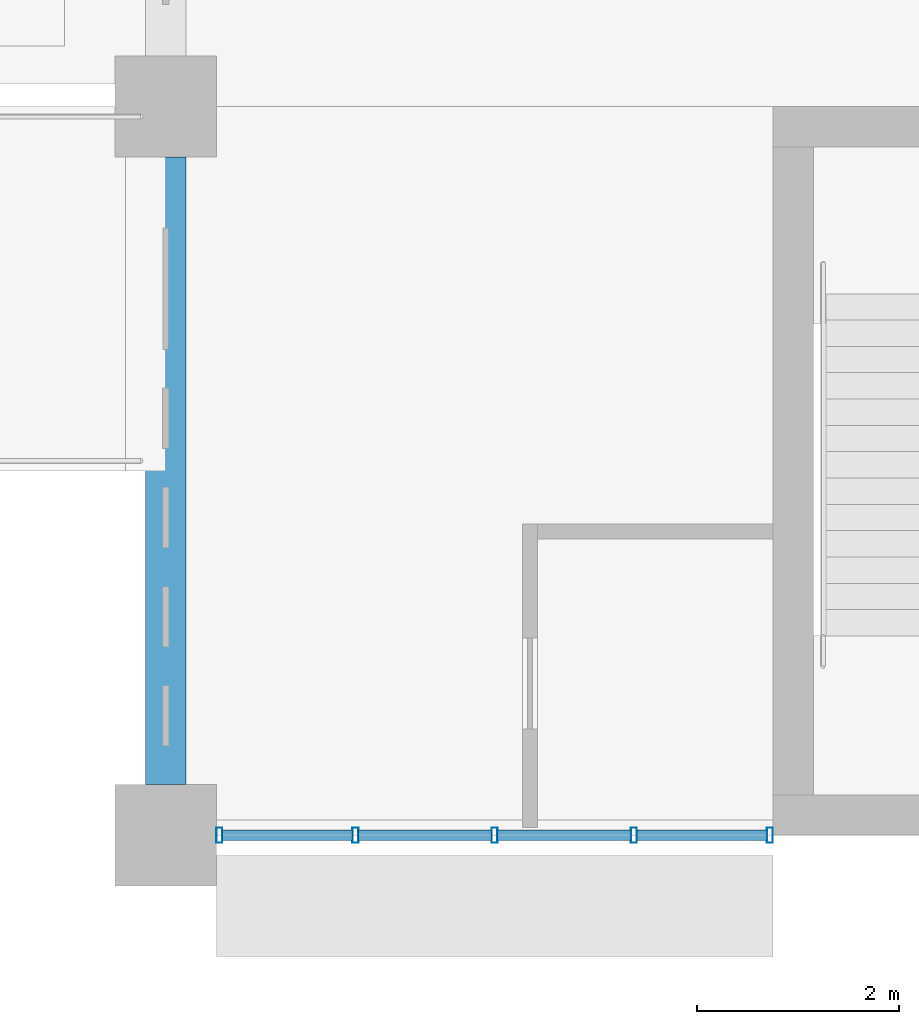
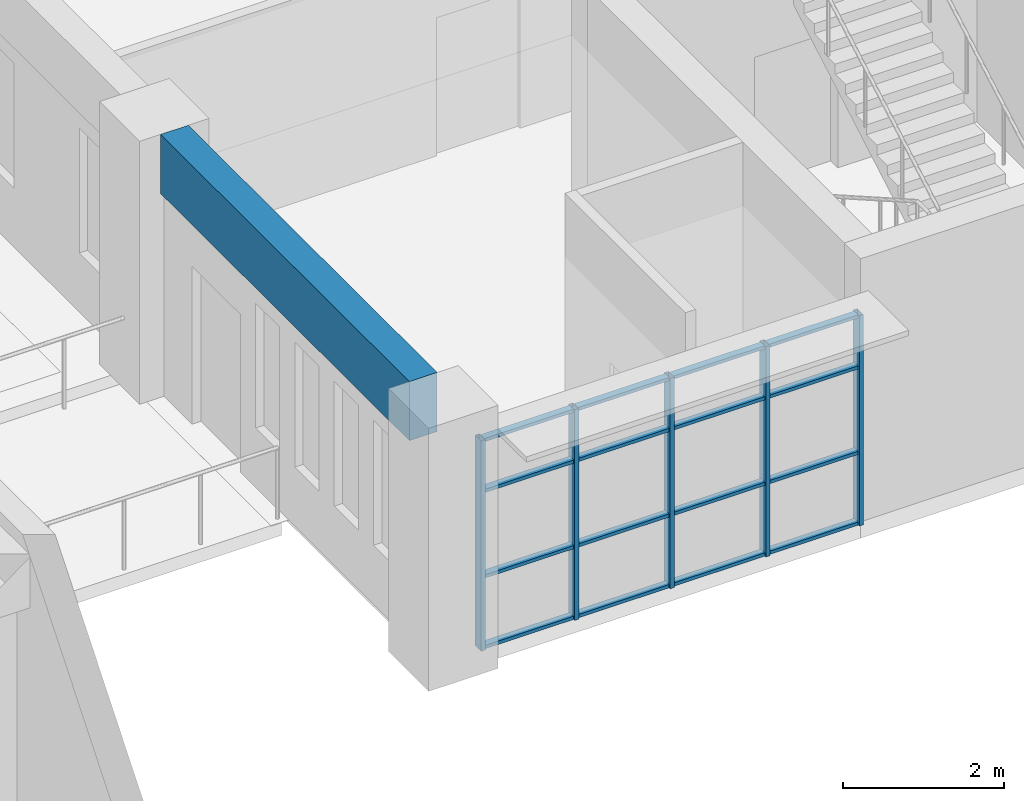
# One storey, part 37 of 101: 21 members, 1 beam, 1 element without a shape of its own.
"""IFC4 building model written with IfcOpenShell, lengths in metres."""

from ifc_helpers import new_model, si_unit, direction, frame, origin, origin_2d, place, context, subcontext, project, spatial, rectangle, hollow_rectangle, extrude, material, material_profile, profile_set, type_object, element, aggregate, save


model = new_model("IFC4")

# Units and contexts
model_context = context("Model", 3, precision=1e-05, world=origin(), true_north=direction((0.0, 1.0)))
body_context = subcontext(model_context, "Body", "Model", "MODEL_VIEW")
ifc_project = project(units=[si_unit("LENGTHUNIT", "METRE"), si_unit("AREAUNIT", "SQUARE_METRE"), si_unit("VOLUMEUNIT", "CUBIC_METRE"), si_unit("PLANEANGLEUNIT", "RADIAN"), si_unit("MASSUNIT", "GRAM", prefix="KILO")], contexts=[model_context])

# Site, building, storey
site_placement = place(None, origin())
site = spatial("IfcSite", under=ifc_project, at=site_placement, CompositionType="ELEMENT")
building_placement = place(site_placement, origin())
building = spatial("IfcBuilding", under=site, at=building_placement, Name="Laocheng Heights Fire and Rescue Headquarters", CompositionType="ELEMENT")
storey_placement = place(building_placement, frame((0.0, 0.0, 8.39990234375)))
storey = spatial("IfcBuildingStorey", under=building, at=storey_placement, Name="L02", CompositionType="ELEMENT", Elevation=8.39990234375)

# Curtain wall, members
ifc_material_1 = material(Name="Dark anodised aluminium unitised curtain wall, low-e double glazing", Category="aluminium")
curtain_wall_type = type_object("IfcCurtainWallType", Name="CW 5500 x 3200 HQ SOUTH RIBBON", PredefinedType="NOTDEFINED", material=ifc_material_1)
curtain_wall_placement = place(storey_placement, origin())
curtain_wall = element("IfcCurtainWall", 1, at=curtain_wall_placement, inside=storey, type_object=curtain_wall_type, Name="X8-X HQ SOUTH L02", PredefinedType="NOTDEFINED")
ifc_material_2 = material(Name="Dark anodised aluminium 6063-T5 extrusion", Category="aluminium")
ifc_material_profile_1 = material_profile(ifc_material_2, hollow_rectangle(XDim=0.14990234375, YDim=0.06005859375, WallThickness=0.0029296875, at=origin_2d()), Name="AL MULLION 150x60x3 HQ SOUTH RIBBON")
ifc_profile_set_1 = profile_set([ifc_material_profile_1], Name="Dark anodised aluminium 6063-T5 extrusion")
member_type_1 = type_object("IfcMemberType", Name="AL MULLION 150x60x3 HQ SOUTH RIBBON", PredefinedType="MULLION", material=ifc_profile_set_1)
member_1_placement = place(storey_placement, frame((36.530029296875, 50.39990234375, 0.0), z_axis=(0.0, 0.0, 1.0), x_axis=(0.0, 1.0, 0.0)))
member_1 = element("IfcMember", 2, at=member_1_placement, type_object=member_type_1, Name="X8-X mullion 1", PredefinedType="MULLION", context=body_context, shape_type="SweptSolid", body=[
    extrude(hollow_rectangle(XDim=0.14990234375, YDim=0.06005859375, WallThickness=0.0029296875, at=origin_2d()), origin(), (0.0, 0.0, 1.0), 3.2001953125),
])
member_2_placement = place(storey_placement, frame((37.875, 50.39990234375, 0.0), z_axis=(0.0, 0.0, 1.0), x_axis=(0.0, 1.0, 0.0)))
member_2 = element("IfcMember", 3, at=member_2_placement, type_object=member_type_1, Name="X8-X mullion 2", PredefinedType="MULLION", context=body_context, shape_type="SweptSolid", body=[
    extrude(hollow_rectangle(XDim=0.14990234375, YDim=0.06005859375, WallThickness=0.0029296875, at=origin_2d()), origin(), (0.0, 0.0, 1.0), 3.2001953125),
])
member_3_placement = place(storey_placement, frame((39.25, 50.39990234375, 0.0), z_axis=(0.0, 0.0, 1.0), x_axis=(0.0, 1.0, 0.0)))
member_3 = element("IfcMember", 4, at=member_3_placement, type_object=member_type_1, Name="X8-X mullion 3", PredefinedType="MULLION", context=body_context, shape_type="SweptSolid", body=[
    extrude(hollow_rectangle(XDim=0.14990234375, YDim=0.06005859375, WallThickness=0.0029296875, at=origin_2d()), origin(), (0.0, 0.0, 1.0), 3.2001953125),
])
member_4_placement = place(storey_placement, frame((40.625, 50.39990234375, 0.0), z_axis=(0.0, 0.0, 1.0), x_axis=(0.0, 1.0, 0.0)))
member_4 = element("IfcMember", 5, at=member_4_placement, type_object=member_type_1, Name="X8-X mullion 4", PredefinedType="MULLION", context=body_context, shape_type="SweptSolid", body=[
    extrude(hollow_rectangle(XDim=0.14990234375, YDim=0.06005859375, WallThickness=0.0029296875, at=origin_2d()), origin(), (0.0, 0.0, 1.0), 3.2001953125),
])
member_5_placement = place(storey_placement, frame((41.969970703125, 50.39990234375, 0.0), z_axis=(0.0, 0.0, 1.0), x_axis=(0.0, 1.0, 0.0)))
member_5 = element("IfcMember", 6, at=member_5_placement, type_object=member_type_1, Name="X8-X mullion 5", PredefinedType="MULLION", context=body_context, shape_type="SweptSolid", body=[
    extrude(hollow_rectangle(XDim=0.14990234375, YDim=0.06005859375, WallThickness=0.0029296875, at=origin_2d()), origin(), (0.0, 0.0, 1.0), 3.2001953125),
])
ifc_material_3 = material(Name="Dark anodised aluminium 6063-T5 extrusion", Category="aluminium")
ifc_material_profile_2 = material_profile(ifc_material_3, hollow_rectangle(XDim=0.10009765625, YDim=0.050048828125, WallThickness=0.0029296875, at=origin_2d()), Name="AL TRANSOM 100x50x3 HQ SOUTH RIBBON")
ifc_profile_set_2 = profile_set([ifc_material_profile_2], Name="Dark anodised aluminium 6063-T5 extrusion")
member_type_2 = type_object("IfcMemberType", Name="AL TRANSOM 100x50x3 HQ SOUTH RIBBON", PredefinedType="USERDEFINED", material=ifc_profile_set_2)
member_6_placement = place(storey_placement, frame((36.56005859375, 50.39990234375, 0.025146484375), z_axis=(1.0, 0.0, 0.0), x_axis=(0.0, 1.0, 0.0)))
member_6 = element("IfcMember", 7, at=member_6_placement, type_object=member_type_2, Name="X8-X transom 1.1", ObjectType="TRANSOM", PredefinedType="USERDEFINED", context=body_context, shape_type="SweptSolid", body=[
    extrude(hollow_rectangle(XDim=0.10009765625, YDim=0.050048828125, WallThickness=0.0029296875, at=origin_2d()), origin(), (0.0, 0.0, 1.0), 1.284912109375),
])
member_7_placement = place(storey_placement, frame((36.56005859375, 50.39990234375, 1.10009765625), z_axis=(1.0, 0.0, 0.0), x_axis=(0.0, 1.0, 0.0)))
member_7 = element("IfcMember", 8, at=member_7_placement, type_object=member_type_2, Name="X8-X transom 1.2", ObjectType="TRANSOM", PredefinedType="USERDEFINED", context=body_context, shape_type="SweptSolid", body=[
    extrude(hollow_rectangle(XDim=0.10009765625, YDim=0.050048828125, WallThickness=0.0029296875, at=origin_2d()), origin(), (0.0, 0.0, 1.0), 1.284912109375),
])
member_8_placement = place(storey_placement, frame((36.56005859375, 50.39990234375, 2.400146484375), z_axis=(1.0, 0.0, 0.0), x_axis=(0.0, 1.0, 0.0)))
member_8 = element("IfcMember", 9, at=member_8_placement, type_object=member_type_2, Name="X8-X transom 1.3", ObjectType="TRANSOM", PredefinedType="USERDEFINED", context=body_context, shape_type="SweptSolid", body=[
    extrude(hollow_rectangle(XDim=0.10009765625, YDim=0.050048828125, WallThickness=0.0029296875, at=origin_2d()), origin(), (0.0, 0.0, 1.0), 1.284912109375),
])
member_9_placement = place(storey_placement, frame((36.56005859375, 50.39990234375, 3.175048828125), z_axis=(1.0, 0.0, 0.0), x_axis=(0.0, 1.0, 0.0)))
member_9 = element("IfcMember", 10, at=member_9_placement, type_object=member_type_2, Name="X8-X transom 1.4", ObjectType="TRANSOM", PredefinedType="USERDEFINED", context=body_context, shape_type="SweptSolid", body=[
    extrude(hollow_rectangle(XDim=0.10009765625, YDim=0.050048828125, WallThickness=0.0029296875, at=origin_2d()), origin(), (0.0, 0.0, 1.0), 1.284912109375),
])
member_10_placement = place(storey_placement, frame((37.905029296875, 50.39990234375, 0.025146484375), z_axis=(1.0, 0.0, 0.0), x_axis=(0.0, 1.0, 0.0)))
member_10 = element("IfcMember", 11, at=member_10_placement, type_object=member_type_2, Name="X8-X transom 2.1", ObjectType="TRANSOM", PredefinedType="USERDEFINED", context=body_context, shape_type="SweptSolid", body=[
    extrude(hollow_rectangle(XDim=0.10009765625, YDim=0.050048828125, WallThickness=0.0029296875, at=origin_2d()), origin(), (0.0, 0.0, 1.0), 1.31494140625),
])
member_11_placement = place(storey_placement, frame((37.905029296875, 50.39990234375, 1.10009765625), z_axis=(1.0, 0.0, 0.0), x_axis=(0.0, 1.0, 0.0)))
member_11 = element("IfcMember", 12, at=member_11_placement, type_object=member_type_2, Name="X8-X transom 2.2", ObjectType="TRANSOM", PredefinedType="USERDEFINED", context=body_context, shape_type="SweptSolid", body=[
    extrude(hollow_rectangle(XDim=0.10009765625, YDim=0.050048828125, WallThickness=0.0029296875, at=origin_2d()), origin(), (0.0, 0.0, 1.0), 1.31494140625),
])
member_12_placement = place(storey_placement, frame((37.905029296875, 50.39990234375, 2.400146484375), z_axis=(1.0, 0.0, 0.0), x_axis=(0.0, 1.0, 0.0)))
member_12 = element("IfcMember", 13, at=member_12_placement, type_object=member_type_2, Name="X8-X transom 2.3", ObjectType="TRANSOM", PredefinedType="USERDEFINED", context=body_context, shape_type="SweptSolid", body=[
    extrude(hollow_rectangle(XDim=0.10009765625, YDim=0.050048828125, WallThickness=0.0029296875, at=origin_2d()), origin(), (0.0, 0.0, 1.0), 1.31494140625),
])
member_13_placement = place(storey_placement, frame((37.905029296875, 50.39990234375, 3.175048828125), z_axis=(1.0, 0.0, 0.0), x_axis=(0.0, 1.0, 0.0)))
member_13 = element("IfcMember", 14, at=member_13_placement, type_object=member_type_2, Name="X8-X transom 2.4", ObjectType="TRANSOM", PredefinedType="USERDEFINED", context=body_context, shape_type="SweptSolid", body=[
    extrude(hollow_rectangle(XDim=0.10009765625, YDim=0.050048828125, WallThickness=0.0029296875, at=origin_2d()), origin(), (0.0, 0.0, 1.0), 1.31494140625),
])
member_14_placement = place(storey_placement, frame((39.280029296875, 50.39990234375, 0.025146484375), z_axis=(1.0, 0.0, 0.0), x_axis=(0.0, 1.0, 0.0)))
member_14 = element("IfcMember", 15, at=member_14_placement, type_object=member_type_2, Name="X8-X transom 3.1", ObjectType="TRANSOM", PredefinedType="USERDEFINED", context=body_context, shape_type="SweptSolid", body=[
    extrude(hollow_rectangle(XDim=0.10009765625, YDim=0.050048828125, WallThickness=0.0029296875, at=origin_2d()), origin(), (0.0, 0.0, 1.0), 1.31494140625),
])
member_15_placement = place(storey_placement, frame((39.280029296875, 50.39990234375, 1.10009765625), z_axis=(1.0, 0.0, 0.0), x_axis=(0.0, 1.0, 0.0)))
member_15 = element("IfcMember", 16, at=member_15_placement, type_object=member_type_2, Name="X8-X transom 3.2", ObjectType="TRANSOM", PredefinedType="USERDEFINED", context=body_context, shape_type="SweptSolid", body=[
    extrude(hollow_rectangle(XDim=0.10009765625, YDim=0.050048828125, WallThickness=0.0029296875, at=origin_2d()), origin(), (0.0, 0.0, 1.0), 1.31494140625),
])
member_16_placement = place(storey_placement, frame((39.280029296875, 50.39990234375, 2.400146484375), z_axis=(1.0, 0.0, 0.0), x_axis=(0.0, 1.0, 0.0)))
member_16 = element("IfcMember", 17, at=member_16_placement, type_object=member_type_2, Name="X8-X transom 3.3", ObjectType="TRANSOM", PredefinedType="USERDEFINED", context=body_context, shape_type="SweptSolid", body=[
    extrude(hollow_rectangle(XDim=0.10009765625, YDim=0.050048828125, WallThickness=0.0029296875, at=origin_2d()), origin(), (0.0, 0.0, 1.0), 1.31494140625),
])
member_17_placement = place(storey_placement, frame((39.280029296875, 50.39990234375, 3.175048828125), z_axis=(1.0, 0.0, 0.0), x_axis=(0.0, 1.0, 0.0)))
member_17 = element("IfcMember", 18, at=member_17_placement, type_object=member_type_2, Name="X8-X transom 3.4", ObjectType="TRANSOM", PredefinedType="USERDEFINED", context=body_context, shape_type="SweptSolid", body=[
    extrude(hollow_rectangle(XDim=0.10009765625, YDim=0.050048828125, WallThickness=0.0029296875, at=origin_2d()), origin(), (0.0, 0.0, 1.0), 1.31494140625),
])
member_18_placement = place(storey_placement, frame((40.655029296875, 50.39990234375, 0.025146484375), z_axis=(1.0, 0.0, 0.0), x_axis=(0.0, 1.0, 0.0)))
member_18 = element("IfcMember", 19, at=member_18_placement, type_object=member_type_2, Name="X8-X transom 4.1", ObjectType="TRANSOM", PredefinedType="USERDEFINED", context=body_context, shape_type="SweptSolid", body=[
    extrude(hollow_rectangle(XDim=0.10009765625, YDim=0.050048828125, WallThickness=0.0029296875, at=origin_2d()), origin(), (0.0, 0.0, 1.0), 1.284912109375),
])
member_19_placement = place(storey_placement, frame((40.655029296875, 50.39990234375, 1.10009765625), z_axis=(1.0, 0.0, 0.0), x_axis=(0.0, 1.0, 0.0)))
member_19 = element("IfcMember", 20, at=member_19_placement, type_object=member_type_2, Name="X8-X transom 4.2", ObjectType="TRANSOM", PredefinedType="USERDEFINED", context=body_context, shape_type="SweptSolid", body=[
    extrude(hollow_rectangle(XDim=0.10009765625, YDim=0.050048828125, WallThickness=0.0029296875, at=origin_2d()), origin(), (0.0, 0.0, 1.0), 1.284912109375),
])
member_20_placement = place(storey_placement, frame((40.655029296875, 50.39990234375, 2.400146484375), z_axis=(1.0, 0.0, 0.0), x_axis=(0.0, 1.0, 0.0)))
member_20 = element("IfcMember", 21, at=member_20_placement, type_object=member_type_2, Name="X8-X transom 4.3", ObjectType="TRANSOM", PredefinedType="USERDEFINED", context=body_context, shape_type="SweptSolid", body=[
    extrude(hollow_rectangle(XDim=0.10009765625, YDim=0.050048828125, WallThickness=0.0029296875, at=origin_2d()), origin(), (0.0, 0.0, 1.0), 1.284912109375),
])
member_21_placement = place(storey_placement, frame((40.655029296875, 50.39990234375, 3.175048828125), z_axis=(1.0, 0.0, 0.0), x_axis=(0.0, 1.0, 0.0)))
member_21 = element("IfcMember", 22, at=member_21_placement, type_object=member_type_2, Name="X8-X transom 4.4", ObjectType="TRANSOM", PredefinedType="USERDEFINED", context=body_context, shape_type="SweptSolid", body=[
    extrude(hollow_rectangle(XDim=0.10009765625, YDim=0.050048828125, WallThickness=0.0029296875, at=origin_2d()), origin(), (0.0, 0.0, 1.0), 1.284912109375),
])
aggregate(curtain_wall, [member_1, member_2, member_3, member_4, member_5, member_6, member_7, member_8, member_9, member_10, member_11, member_12, member_13, member_14, member_15, member_16, member_17, member_18, member_19, member_20, member_21])

# Beam
ifc_material_4 = material(Name="Concrete C40", Category="concrete")
ifc_material_profile_3 = material_profile(ifc_material_4, rectangle(XDim=0.39990234375, YDim=0.89990234375, at=origin_2d()), Name="RC BEAM 400x900 HQ")
ifc_profile_set_3 = profile_set([ifc_material_profile_3], Name="Concrete C40")
beam_type = type_object("IfcBeamType", Name="RC BEAM 400x900 HQ", PredefinedType="BEAM", material=ifc_profile_set_3)
beam_placement = place(storey_placement, frame((36.0, 50.89990234375, 3.550048828125), z_axis=(0.0, 1.0, 0.0), x_axis=(-1.0, 0.0, 0.0)))
element("IfcBeam", 23, at=beam_placement, inside=storey, type_object=beam_type, Name="HQ beam L02", PredefinedType="BEAM", context=body_context, shape_type="SweptSolid", body=[
    extrude(rectangle(XDim=0.39990234375, YDim=0.89990234375, at=origin_2d()), origin(), (0.0, 0.0, 1.0), 6.2001953125),
])

save(model, "model.ifc")
